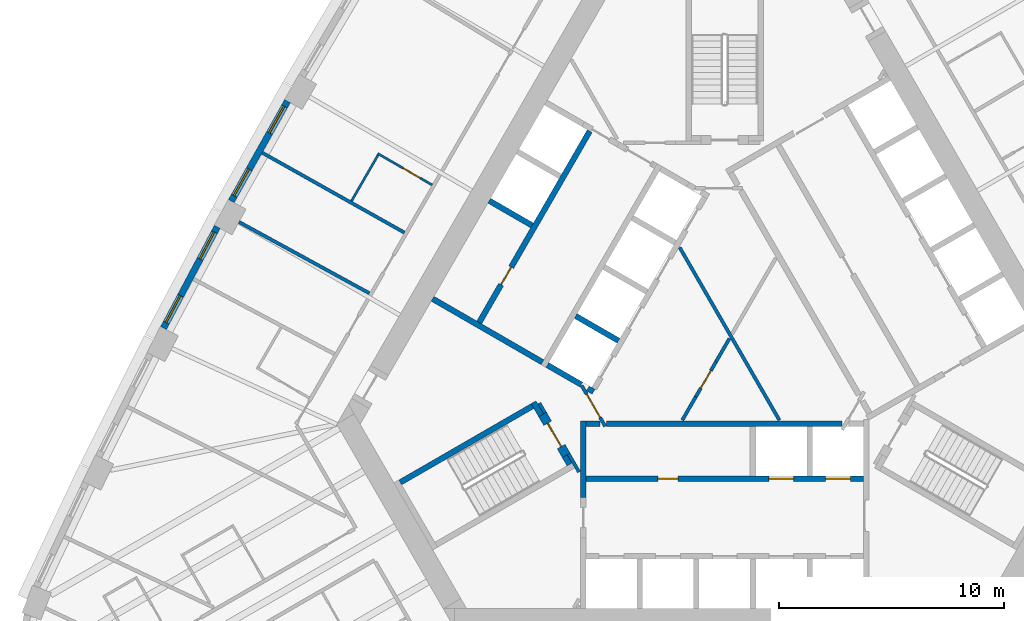
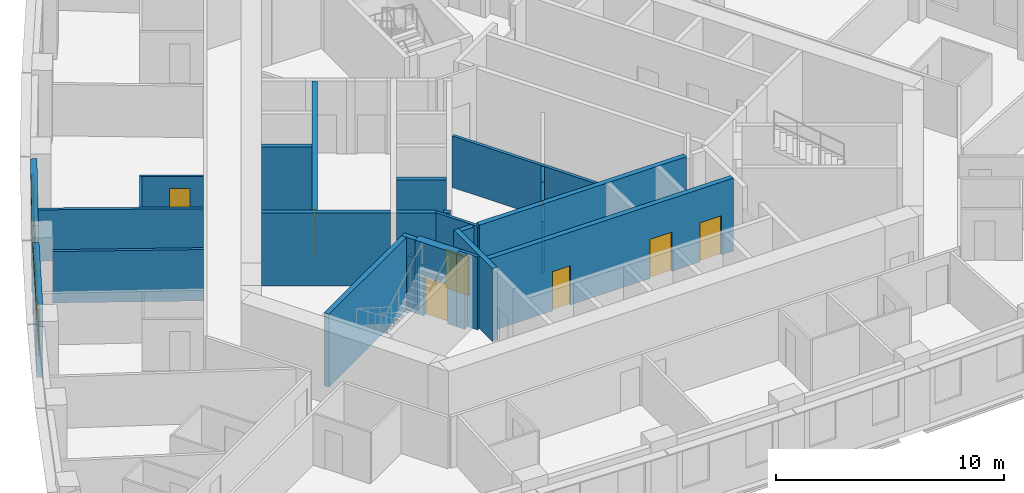
# One storey, part 5 of 12: 27 walls, 8 doors, 4 windows, 12 openings.
"""IFC4 building model written with IfcOpenShell, lengths in metres."""

import ifcopenshell
import ifcopenshell.guid

model = None  # the IFC model being written
_history = None  # IfcOwnerHistory: only IFC2X3 demands one
_inside = {}  # id of a spatial element -> (the spatial element, [elements in it])
_under = {}  # id of a project, library or spatial element -> (it, [spatial elements below it])
_declared = {}  # id of a project -> (the project, [libraries it declares])
_typed = {}  # id of a type object -> (the type object, [elements of that type])
_made_of = {}  # id of a material, layer set ... -> (it, [elements and type objects made of it])


def new_model(schema):
    """Start an empty IFC model of exactly this schema.

    Asked for "IFC4X3", IfcOpenShell would pick the latest addendum, in which some entities
    have other attributes; the version numbers below select the first issue.
    IFC2X3 requires an IfcOwnerHistory on every rooted entity: one is made here for all.
    """
    global model, _history
    if schema == "IFC4X3":
        model = ifcopenshell.file(schema_version=(4, 3, 0, 0))
    else:
        model = ifcopenshell.file(schema=schema)
    _inside.clear()
    _under.clear()
    _declared.clear()
    _typed.clear()
    _made_of.clear()
    _history = None
    if model.schema == "IFC2X3":
        org = make("IfcOrganization", Name="unknown")
        user = make(
            "IfcPersonAndOrganization",
            ThePerson=make("IfcPerson", FamilyName="unknown"),
            TheOrganization=org,
        )
        app = make(
            "IfcApplication",
            ApplicationDeveloper=org,
            Version="unknown",
            ApplicationFullName="unknown",
            ApplicationIdentifier="unknown",
        )
        _history = make(
            "IfcOwnerHistory",
            OwningUser=user,
            OwningApplication=app,
            ChangeAction="ADDED",
            CreationDate=0,
        )
    return model


def make(cls, **values):
    """One entity of the class cls with the attributes given. An attribute that is None is left unset."""
    return model.create_entity(
        cls, **{name: value for name, value in values.items() if value is not None}
    )


def rooted(cls, **values):
    """An entity with a GlobalId (a new one), such as an element, a storey or a relation."""
    return make(cls, GlobalId=ifcopenshell.guid.new(), OwnerHistory=_history, **values)


def si_unit(unit_type, name, prefix=None):
    """IfcSIUnit, for example si_unit("LENGTHUNIT", "METRE", prefix="MILLI")."""
    return make("IfcSIUnit", UnitType=unit_type, Prefix=prefix, Name=name)


def assignment(units):
    """IfcUnitAssignment: the units of a project."""
    return None if units is None else make("IfcUnitAssignment", Units=units)


def point(xyz):
    """IfcCartesianPoint."""
    return None if xyz is None else make("IfcCartesianPoint", Coordinates=xyz)


def direction(xyz):
    """IfcDirection."""
    return None if xyz is None else make("IfcDirection", DirectionRatios=xyz)


def frame(location, z_axis=None, x_axis=None):
    """IfcAxis2Placement3D, a coordinate frame: its origin and axes. An axis left out is left unset."""
    return make(
        "IfcAxis2Placement3D",
        Location=point(location),
        Axis=direction(z_axis),
        RefDirection=direction(x_axis),
    )


def frame_2d(location, x_axis=None):
    """IfcAxis2Placement2D, a coordinate frame in the plane: its origin and x axis."""
    return make(
        "IfcAxis2Placement2D", Location=point(location), RefDirection=direction(x_axis)
    )


def origin():
    """The frame at (0, 0, 0) with its axes left unset."""
    return frame((0.0, 0.0, 0.0))


def place(relative_to, where):
    """IfcLocalPlacement: puts the frame where relative to a parent placement (None: the world)."""
    return make(
        "IfcLocalPlacement", PlacementRelTo=relative_to, RelativePlacement=where
    )


def context(
    kind, dimensions, precision=None, world=None, true_north=None, identifier=None
):
    """IfcGeometricRepresentationContext, for example the 3D "Model" context."""
    return make(
        "IfcGeometricRepresentationContext",
        ContextIdentifier=identifier,
        ContextType=kind,
        CoordinateSpaceDimension=dimensions,
        Precision=precision,
        WorldCoordinateSystem=world,
        TrueNorth=true_north,
    )


def subcontext(parent, identifier, kind, view, scale=None):
    """IfcGeometricRepresentationSubContext, for example "Body" below "Model"."""
    return make(
        "IfcGeometricRepresentationSubContext",
        ContextIdentifier=identifier,
        ContextType=kind,
        ParentContext=parent,
        TargetScale=scale,
        TargetView=view,
    )


def project(units=None, contexts=None):
    """IfcProject with its units and contexts."""
    return rooted(
        "IfcProject",
        Name="project",
        RepresentationContexts=contexts,
        UnitsInContext=assignment(units),
    )


def spatial(cls, under=None, at=None, **own):
    """A site, building, storey or space (cls), placed at a placement, below another one or the project."""
    s = rooted(cls, ObjectPlacement=at, **own)
    if under is not None:
        _under.setdefault(under.id(), (under, []))[1].append(s)
    return s


def profile(cls, at=None, kind="AREA", **sizes):
    """A parametric profile (cls). Its sizes go by their IFC names, for example OverallWidth=200.0."""
    return make(cls, ProfileType=kind, Position=at, **sizes)


def rectangle(**sizes):
    """IfcRectangleProfileDef."""
    return profile("IfcRectangleProfileDef", **sizes)


def extrude(swept, where, along, depth):
    """IfcExtrudedAreaSolid: the profile swept, set in the frame where, extruded along a direction by depth."""
    return make(
        "IfcExtrudedAreaSolid",
        SweptArea=swept,
        Position=where,
        ExtrudedDirection=direction(along),
        Depth=depth,
    )


def shape(context_of_items, identifier, shape_type, items):
    """IfcShapeRepresentation: the items that make up one representation, for example the "Body"."""
    return make(
        "IfcShapeRepresentation",
        ContextOfItems=context_of_items,
        RepresentationIdentifier=identifier,
        RepresentationType=shape_type,
        Items=items,
    )


def material(Name=None, Category=None):
    """IfcMaterial."""
    return make("IfcMaterial", Name=Name, Category=Category)


def layer(
    of_material, thickness, ventilated=None, Name=None, Category=None, Priority=None
):
    """IfcMaterialLayer: one layer of a wall or slab, of a material (None: an air gap)."""
    return make(
        "IfcMaterialLayer",
        Material=of_material,
        LayerThickness=thickness,
        IsVentilated=ventilated,
        Name=Name,
        Category=Category,
        Priority=Priority,
    )


def layer_set(layers, Name=None):
    """IfcMaterialLayerSet."""
    return make("IfcMaterialLayerSet", MaterialLayers=layers, LayerSetName=Name)


def made_of(thing, what):
    """Note that an element or type object is made of a material, layer set ...; save() writes the relation."""
    if what is not None:
        _made_of.setdefault(what.id(), (what, []))[1].append(thing)
    return thing


def type_object(cls, material=None, **own):
    """A type object (cls), such as IfcWallType, which elements share."""
    return made_of(rooted(cls, **own), material)


def element(
    cls,
    number,
    at=None,
    inside=None,
    cuts=None,
    type_object=None,
    material=None,
    context=None,
    identifier="Body",
    shape_type=None,
    held_by="IfcProductDefinitionShape",
    body=None,
    shapes=None,
    **own,
):
    """One element of the class cls, such as IfcWall. Its Tag is "e" and its number.

    at: its placement. inside: the storey or other place that contains it. cuts: it is an
    opening in that element (IfcRelVoidsElement). A single representation is given by context,
    identifier, shape_type and body (its items); several are given by shapes. held_by: the class
    of the entity that holds the representations. save() writes the other relations.
    """
    e = rooted(cls, Tag="e%d" % number, ObjectPlacement=at, **own)
    if body is not None:
        shapes = [shape(context, identifier, shape_type, body)]
    if shapes is not None:
        e.Representation = make(held_by, Representations=shapes)
    if inside is not None:
        _inside.setdefault(inside.id(), (inside, []))[1].append(e)
    if cuts is not None:
        rooted(
            "IfcRelVoidsElement", RelatingBuildingElement=cuts, RelatedOpeningElement=e
        )
    if type_object is not None:
        _typed.setdefault(type_object.id(), (type_object, []))[1].append(e)
    return made_of(e, material)


def fill(opening, filler):
    """IfcRelFillsElement: the door or window that sits in an opening."""
    return rooted(
        "IfcRelFillsElement",
        RelatingOpeningElement=opening,
        RelatedBuildingElement=filler,
    )


def aggregate(whole, parts):
    """IfcRelAggregates: a whole, such as a stair, and the parts it consists of."""
    return rooted("IfcRelAggregates", RelatingObject=whole, RelatedObjects=parts)


def save(model, path):
    """Write the relations noted so far, then the file.

    IfcRelAggregates (storeys below a building ...), IfcRelContainedInSpatialStructure (elements
    in a storey), IfcRelDefinesByType, IfcRelAssociatesMaterial and IfcRelDeclares: one each for
    every whole, place, type object, material and project.
    """
    for whole, parts in _under.values():
        aggregate(whole, parts)
    for where, things in _inside.values():
        rooted(
            "IfcRelContainedInSpatialStructure",
            RelatedElements=things,
            RelatingStructure=where,
        )
    for kind, things in _typed.values():
        rooted("IfcRelDefinesByType", RelatedObjects=things, RelatingType=kind)
    for what, things in _made_of.values():
        rooted("IfcRelAssociatesMaterial", RelatedObjects=things, RelatingMaterial=what)
    for by, libraries in _declared.values():
        rooted("IfcRelDeclares", RelatingContext=by, RelatedDefinitions=libraries)
    model.write(path)


model = new_model("IFC4")

# Units and contexts
model_context = context("Model", 3, precision=1e-05, world=origin(), true_north=direction((0.0, 1.0)))
body_context = subcontext(model_context, "Body", "Model", "MODEL_VIEW")
ifc_project = project(units=[si_unit("LENGTHUNIT", "METRE"), si_unit("AREAUNIT", "SQUARE_METRE"), si_unit("VOLUMEUNIT", "CUBIC_METRE"), si_unit("PLANEANGLEUNIT", "RADIAN"), si_unit("MASSUNIT", "GRAM", prefix="KILO")], contexts=[model_context])

# Site, building, storey
site_placement = place(None, origin())
site = spatial("IfcSite", under=ifc_project, at=site_placement, CompositionType="ELEMENT")
building_placement = place(site_placement, origin())
building = spatial("IfcBuilding", under=site, at=building_placement, Name="Mestral Congress Tower", CompositionType="ELEMENT")
storey_placement = place(building_placement, frame((0.0, 0.0, 118.800048828125)))
storey = spatial("IfcBuildingStorey", under=building, at=storey_placement, Name="L28", CompositionType="ELEMENT", Elevation=118.800048828125)

# Walls
ifc_material_1 = material(Name="Fire-rated board partition")
ifc_layer_1 = layer(ifc_material_1, 0.14990234375)
ifc_layer_set_1 = layer_set([ifc_layer_1], Name="Fire-rated board partition")
wall_type_1 = type_object("IfcWallType", Name="Core partition 150", PredefinedType="PARTITIONING", material=ifc_layer_set_1)
wall_1_placement = place(storey_placement, frame((-1.886962890625, -3.71826171875, 0.0), z_axis=(0.0, 0.0, 1.0), x_axis=(0.500057179532, 0.865992388649, 0.0)))
element("IfcWall", 1, at=wall_1_placement, inside=storey, type_object=wall_type_1, Name="L28 core wall", PredefinedType="PARTITIONING", context=body_context, shape_type="SweptSolid", body=[
    extrude(rectangle(XDim=1.199462890625, YDim=0.14990234375, at=frame_2d((0.599609375, 0.0))), origin(), (0.0, 0.0, 1.0), 2.75),
])
wall_2_placement = place(storey_placement, frame((-8.251953125, -2.958251953125, 0.0), z_axis=(0.0, 0.0, 1.0), x_axis=(0.500174715838, -0.865924508047, 0.0)))
element("IfcWall", 2, at=wall_2_placement, inside=storey, type_object=wall_type_1, Name="L28 core wall", PredefinedType="PARTITIONING", context=body_context, shape_type="SweptSolid", body=[
    extrude(rectangle(XDim=0.513916015625, YDim=0.14990234375, at=frame_2d((0.2568359375, 0.0))), origin(), (0.0, 0.0, 1.0), 2.75),
])
wall_3_placement = place(storey_placement, frame((2.435302734375, -3.71826171875, 0.0), z_axis=(0.0, 0.0, 1.0), x_axis=(-0.499985176046, 0.866033962229, 0.0)))
element("IfcWall", 3, at=wall_3_placement, inside=storey, type_object=wall_type_1, Name="L28 core wall", PredefinedType="PARTITIONING", context=body_context, shape_type="SweptSolid", body=[
    extrude(rectangle(XDim=8.875244140625, YDim=0.14990234375, at=frame_2d((4.4375, 0.0))), origin(), (0.0, 0.0, 1.0), 2.75),
])
wall_4_placement = place(storey_placement, frame((-0.38720703125, -1.12060546875, 0.0), z_axis=(0.0, 0.0, 1.0), x_axis=(0.500057179532, 0.865992388649, 0.0)))
element("IfcWall", 4, at=wall_4_placement, inside=storey, type_object=wall_type_1, Name="L28 core wall", PredefinedType="PARTITIONING", context=body_context, shape_type="SweptSolid", body=[
    extrude(rectangle(XDim=1.199462890625, YDim=0.14990234375, at=frame_2d((0.599609375, 0.0))), origin(), (0.0, 0.0, 1.0), 2.75),
])

# Wall, opening, door
wall_5_placement = place(storey_placement, frame((-1.287109375, -2.679443359375, 0.0), z_axis=(0.0, 0.0, 1.0), x_axis=(0.499961193289, 0.866047807691, 0.0)))
wall_5 = element("IfcWall", 5, at=wall_5_placement, inside=storey, type_object=wall_type_1, Name="L28 door wall", PredefinedType="PARTITIONING", context=body_context, shape_type="SweptSolid", body=[
    extrude(rectangle(XDim=1.800048828125, YDim=0.14990234375, at=frame_2d((0.89990234375, 0.0))), origin(), (0.0, 0.0, 1.0), 2.75),
])
opening_1_placement = place(wall_5_placement, frame((0.449951171875, 0.0, 0.0)))
opening_1 = element("IfcOpeningElement", 6, at=opening_1_placement, cuts=wall_5, Name="Opening SD-HUB2", PredefinedType="OPENING", context=body_context, shape_type="SweptSolid", body=[
    extrude(rectangle(XDim=0.89990234375, YDim=2.10009765625, at=frame_2d((0.449951171875, 1.050048828125))), frame((0.0, 0.0849609375, 0.0), z_axis=(0.0, -1.0, 0.0), x_axis=(1.0, 0.0, 0.0)), (0.0, 0.0, 1.0), 0.169921875),
])
ifc_material_2 = material(Name="Fire-rated steel door set", Category="steel")
door_type_1 = type_object("IfcDoorType", Name="Core door SR 900x2100", OperationType="SINGLE_SWING_LEFT", PredefinedType="DOOR", material=ifc_material_2)
door_1_placement = place(opening_1_placement, origin())
door_1 = element("IfcDoor", 7, at=door_1_placement, inside=storey, type_object=door_type_1, Name="Door SD-HUB2", OperationType="SINGLE_SWING_LEFT", OverallHeight=2.10009765625, OverallWidth=0.89990234375, PredefinedType="DOOR", context=body_context, shape_type="SweptSolid", body=[
    extrude(rectangle(XDim=0.89990234375, YDim=2.10009765625, at=frame_2d((0.449951171875, 1.050048828125))), frame((0.0, 0.02490234375, 0.0), z_axis=(0.0, -1.0, 0.0), x_axis=(1.0, 0.0, 0.0)), (0.0, 0.0, 1.0), 0.050048828125),
])
fill(opening_1, door_1)

# Wall, openings, windows
ifc_material_3 = material(Name="Precast concrete C40/50 with limestone facing", Category="masonry")
ifc_layer_2 = layer(ifc_material_3, 0.2900390625)
ifc_layer_set_2 = layer_set([ifc_layer_2], Name="Precast concrete C40/50 with limestone facing")
wall_type_2 = type_object("IfcWallType", Name="Facade stone wall 290", PredefinedType="SOLIDWALL", material=ifc_layer_set_2)
wall_6_placement = place(storey_placement, frame((-19.4580078125, 10.479736328125, 0.0), z_axis=(0.0, 0.0, 1.0), x_axis=(-0.48983164787, -0.87181704316, 0.0)))
wall_6 = element("IfcWall", 8, at=wall_6_placement, inside=storey, type_object=wall_type_2, Name="Facade wall F2-04", PredefinedType="SOLIDWALL", context=body_context, shape_type="SweptSolid", body=[
    extrude(rectangle(XDim=5.100341796875, YDim=0.2900390625, at=frame_2d((2.55029296875, 0.0))), origin(), (0.0, 0.0, 1.0), 3.64990234375),
])
opening_2_placement = place(wall_6_placement, frame((0.2724609375, 0.0, 0.89990234375)))
opening_2 = element("IfcOpeningElement", 9, at=opening_2_placement, cuts=wall_6, Name="Opening W2", PredefinedType="OPENING", context=body_context, shape_type="SweptSolid", body=[
    extrude(rectangle(XDim=1.35009765625, YDim=2.14990234375, at=frame_2d((0.675048828125, 1.074951171875))), frame((0.0, 0.155029296875, 0.0), z_axis=(0.0, -1.0, 0.0), x_axis=(1.0, 0.0, 0.0)), (0.0, 0.0, 1.0), 0.31005859375),
])
opening_3_placement = place(wall_6_placement, frame((3.477783203125, 0.0, 0.89990234375)))
opening_3 = element("IfcOpeningElement", 10, at=opening_3_placement, cuts=wall_6, Name="Opening W2", PredefinedType="OPENING", context=body_context, shape_type="SweptSolid", body=[
    extrude(rectangle(XDim=1.35009765625, YDim=2.14990234375, at=frame_2d((0.675048828125, 1.074951171875))), frame((0.0, 0.155029296875, 0.0), z_axis=(0.0, -1.0, 0.0), x_axis=(1.0, 0.0, 0.0)), (0.0, 0.0, 1.0), 0.31005859375),
])
ifc_material_4 = material(Name="Clear low-emissivity double glazing", Category="glass")
window_type = type_object("IfcWindowType", Name="Facade punched window 1350 x 2150 sill 900", PartitioningType="DOUBLE_PANEL_VERTICAL", PredefinedType="WINDOW", material=ifc_material_4)
window_1_placement = place(opening_2_placement, origin())
window_1 = element("IfcWindow", 11, at=window_1_placement, inside=storey, type_object=window_type, Name="Window F2-04a", OverallHeight=2.14990234375, OverallWidth=1.35009765625, PartitioningType="DOUBLE_PANEL_VERTICAL", PredefinedType="WINDOW", context=body_context, shape_type="SweptSolid", body=[
    extrude(rectangle(XDim=1.35009765625, YDim=2.14990234375, at=frame_2d((0.675048828125, 1.074951171875))), frame((0.0, 0.01513671875, 0.0), z_axis=(0.0, -1.0, 0.0), x_axis=(1.0, 0.0, 0.0)), (0.0, 0.0, 1.0), 0.06005859375),
])
fill(opening_2, window_1)
window_2_placement = place(opening_3_placement, origin())
window_2 = element("IfcWindow", 12, at=window_2_placement, inside=storey, type_object=window_type, Name="Window F2-04b", OverallHeight=2.14990234375, OverallWidth=1.35009765625, PartitioningType="DOUBLE_PANEL_VERTICAL", PredefinedType="WINDOW", context=body_context, shape_type="SweptSolid", body=[
    extrude(rectangle(XDim=1.35009765625, YDim=2.14990234375, at=frame_2d((0.675048828125, 1.074951171875))), frame((0.0, 0.01513671875, 0.0), z_axis=(0.0, -1.0, 0.0), x_axis=(1.0, 0.0, 0.0)), (0.0, 0.0, 1.0), 0.06005859375),
])
fill(opening_3, window_2)

wall_7_placement = place(storey_placement, frame((-22.5830078125, 4.88671875, 0.0), z_axis=(0.0, 0.0, 1.0), x_axis=(-0.469323203119, -0.883026461106, 0.0)))
wall_7 = element("IfcWall", 13, at=wall_7_placement, inside=storey, type_object=wall_type_2, Name="Facade wall F2-05", PredefinedType="SOLIDWALL", context=body_context, shape_type="SweptSolid", body=[
    extrude(rectangle(XDim=5.1005859375, YDim=0.2900390625, at=frame_2d((2.55029296875, 0.0))), origin(), (0.0, 0.0, 1.0), 3.64990234375),
])
opening_4_placement = place(wall_7_placement, frame((0.272705078125, 0.0, 0.89990234375)))
opening_4 = element("IfcOpeningElement", 14, at=opening_4_placement, cuts=wall_7, Name="Opening W2", PredefinedType="OPENING", context=body_context, shape_type="SweptSolid", body=[
    extrude(rectangle(XDim=1.35009765625, YDim=2.14990234375, at=frame_2d((0.675048828125, 1.074951171875))), frame((0.0, 0.155029296875, 0.0), z_axis=(0.0, -1.0, 0.0), x_axis=(1.0, 0.0, 0.0)), (0.0, 0.0, 1.0), 0.31005859375),
])
opening_5_placement = place(wall_7_placement, frame((3.477783203125, 0.0, 0.89990234375)))
opening_5 = element("IfcOpeningElement", 15, at=opening_5_placement, cuts=wall_7, Name="Opening W2", PredefinedType="OPENING", context=body_context, shape_type="SweptSolid", body=[
    extrude(rectangle(XDim=1.35009765625, YDim=2.14990234375, at=frame_2d((0.675048828125, 1.074951171875))), frame((0.0, 0.155029296875, 0.0), z_axis=(0.0, -1.0, 0.0), x_axis=(1.0, 0.0, 0.0)), (0.0, 0.0, 1.0), 0.31005859375),
])
window_3_placement = place(opening_4_placement, origin())
window_3 = element("IfcWindow", 16, at=window_3_placement, inside=storey, type_object=window_type, Name="Window F2-05a", OverallHeight=2.14990234375, OverallWidth=1.35009765625, PartitioningType="DOUBLE_PANEL_VERTICAL", PredefinedType="WINDOW", context=body_context, shape_type="SweptSolid", body=[
    extrude(rectangle(XDim=1.35009765625, YDim=2.14990234375, at=frame_2d((0.675048828125, 1.074951171875))), frame((0.0, 0.01513671875, 0.0), z_axis=(0.0, -1.0, 0.0), x_axis=(1.0, 0.0, 0.0)), (0.0, 0.0, 1.0), 0.06005859375),
])
fill(opening_4, window_3)
window_4_placement = place(opening_5_placement, origin())
window_4 = element("IfcWindow", 17, at=window_4_placement, inside=storey, type_object=window_type, Name="Window F2-05b", OverallHeight=2.14990234375, OverallWidth=1.35009765625, PartitioningType="DOUBLE_PANEL_VERTICAL", PredefinedType="WINDOW", context=body_context, shape_type="SweptSolid", body=[
    extrude(rectangle(XDim=1.35009765625, YDim=2.14990234375, at=frame_2d((0.675048828125, 1.074951171875))), frame((0.0, 0.01513671875, 0.0), z_axis=(0.0, -1.0, 0.0), x_axis=(1.0, 0.0, 0.0)), (0.0, 0.0, 1.0), 0.06005859375),
])
fill(opening_5, window_4)

# Wall, opening, door
ifc_material_5 = material(Name="Gypsum board partition on metal studs with mineral wool", Category="composite")
ifc_layer_3 = layer(ifc_material_5, 0.10009765625)
ifc_layer_set_3 = layer_set([ifc_layer_3], Name="Gypsum board partition on metal studs with mineral wool")
wall_type_3 = type_object("IfcWallType", Name="Hotel partition wall 100", PredefinedType="PARTITIONING", material=ifc_layer_set_3)
wall_8_placement = place(storey_placement, frame((-13.018798828125, 6.750732421875, 0.0), z_axis=(0.0, 0.0, 1.0), x_axis=(-0.866034573852, 0.49998411664, 0.0)))
wall_8 = element("IfcWall", 18, at=wall_8_placement, inside=storey, type_object=wall_type_3, Name="L28-h-pod15a", PredefinedType="PARTITIONING", context=body_context, shape_type="SweptSolid", body=[
    extrude(rectangle(XDim=2.7998046875, YDim=0.10009765625, at=frame_2d((1.39990234375, 0.0))), origin(), (0.0, 0.0, 1.0), 2.75),
])
opening_6_placement = place(wall_8_placement, frame((0.60009765625, 0.0, 0.0)))
opening_6 = element("IfcOpeningElement", 19, at=opening_6_placement, cuts=wall_8, Name="Opening H09-030", PredefinedType="OPENING", context=body_context, shape_type="SweptSolid", body=[
    extrude(rectangle(XDim=0.89990234375, YDim=2.10009765625, at=frame_2d((0.449951171875, 1.050048828125))), frame((0.0, 0.06005859375, 0.0), z_axis=(0.0, -1.0, 0.0), x_axis=(1.0, 0.0, 0.0)), (0.0, 0.0, 1.0), 0.1201171875),
])
ifc_material_6 = material(Name="Timber veneer door leaf in timber frame", Category="wood")
door_type_2 = type_object("IfcDoorType", Name="Bathroom door 900", OperationType="SINGLE_SWING_LEFT", PredefinedType="DOOR", material=ifc_material_6)
door_2_placement = place(opening_6_placement, origin())
door_2 = element("IfcDoor", 20, at=door_2_placement, inside=storey, type_object=door_type_2, Name="L28-h-d030", OperationType="SINGLE_SWING_RIGHT", OverallHeight=2.10009765625, OverallWidth=0.89990234375, PredefinedType="DOOR", context=body_context, shape_type="SweptSolid", body=[
    extrude(rectangle(XDim=0.89990234375, YDim=2.10009765625, at=frame_2d((0.449951171875, 1.050048828125))), frame((0.0, 0.02490234375, 0.0), z_axis=(0.0, -1.0, 0.0), x_axis=(1.0, 0.0, 0.0)), (0.0, 0.0, 1.0), 0.050048828125),
])
fill(opening_6, door_2)

# Walls
wall_9_placement = place(storey_placement, frame((-15.42529296875, 8.08251953125, 0.0), z_axis=(0.0, 0.0, 1.0), x_axis=(-0.500032858622, -0.866006432019, 0.0)))
element("IfcWall", 21, at=wall_9_placement, inside=storey, type_object=wall_type_3, Name="L28-h-pod15b", PredefinedType="PARTITIONING", context=body_context, shape_type="SweptSolid", body=[
    extrude(rectangle(XDim=2.360107421875, YDim=0.10009765625, at=frame_2d((1.18017578125, 0.0))), origin(), (0.0, 0.0, 1.0), 2.75),
])
ifc_layer_4 = layer(ifc_material_5, 0.14990234375)
ifc_layer_set_4 = layer_set([ifc_layer_4], Name="Gypsum board partition on metal studs with mineral wool")
wall_type_4 = type_object("IfcWallType", Name="Hotel partition wall 150", PredefinedType="PARTITIONING", material=ifc_layer_set_4)
wall_10_placement = place(storey_placement, frame((-21.614013671875, 5.1015625, 0.0), z_axis=(0.0, 0.0, 1.0), x_axis=(0.877484555087, -0.479604895287, 0.0)))
element("IfcWall", 22, at=wall_10_placement, inside=storey, type_object=wall_type_4, Name="L28-h-pw05", PredefinedType="PARTITIONING", context=body_context, shape_type="SweptSolid", body=[
    extrude(rectangle(XDim=6.611083984375, YDim=0.14990234375, at=frame_2d((3.3056640625, 0.0))), origin(), (0.0, 0.0, 1.0), 2.75),
])
wall_11_placement = place(storey_placement, frame((-20.580810546875, 8.185302734375, 0.0), z_axis=(0.0, 0.0, 1.0), x_axis=(0.871820720803, -0.489825102233, 0.0)))
element("IfcWall", 23, at=wall_11_placement, inside=storey, type_object=wall_type_4, Name="L28-h-pw06", PredefinedType="PARTITIONING", context=body_context, shape_type="SweptSolid", body=[
    extrude(rectangle(XDim=7.256591796875, YDim=0.14990234375, at=frame_2d((3.62841796875, 0.0))), origin(), (0.0, 0.0, 1.0), 2.75),
])
ifc_material_7 = material(Name="Concrete C60/75", Category="concrete")
ifc_layer_5 = layer(ifc_material_7, 0.25)
ifc_layer_set_5 = layer_set([ifc_layer_5], Name="Concrete C60/75")
wall_type_5 = type_object("IfcWallType", Name="Shaft wall RC 250", PredefinedType="SOLIDWALL", material=ifc_layer_set_5)
wall_12_placement = place(storey_placement, frame((-5.25927734375, -3.875, 0.0), z_axis=(0.0, 0.0, 1.0), x_axis=(1.0, 0.0, 0.0)))
element("IfcWall", 24, at=wall_12_placement, inside=storey, type_object=wall_type_5, Name="L28 core wall", PredefinedType="SOLIDWALL", context=body_context, shape_type="SweptSolid", body=[
    extrude(rectangle(XDim=10.488525390625, YDim=0.25, at=frame_2d((5.244140625, 0.0))), origin(), (0.0, 0.0, 1.0), 3.89990234375),
])
wall_13_placement = place(storey_placement, frame((-6.300048828125, -3.75, 0.0), z_axis=(0.0, 0.0, 1.0), x_axis=(0.0, -1.0, 0.0)))
element("IfcWall", 25, at=wall_13_placement, inside=storey, type_object=wall_type_5, Name="L28 core wall", PredefinedType="SOLIDWALL", context=body_context, shape_type="SweptSolid", body=[
    extrude(rectangle(XDim=3.404296875, YDim=0.25, at=frame_2d((1.7021484375, 0.0))), origin(), (0.0, 0.0, 1.0), 3.89990234375),
])
wall_14_placement = place(storey_placement, frame((-6.175048828125, -3.875, 0.0), z_axis=(0.0, 0.0, 1.0), x_axis=(1.0, 0.0, 0.0)))
element("IfcWall", 26, at=wall_14_placement, inside=storey, type_object=wall_type_5, Name="L28 core wall", PredefinedType="SOLIDWALL", context=body_context, shape_type="SweptSolid", body=[
    extrude(rectangle(XDim=0.63671875, YDim=0.25, at=frame_2d((0.318359375, 0.0))), origin(), (0.0, 0.0, 1.0), 3.89990234375),
])
wall_15_placement = place(storey_placement, frame((-4.72412109375, -0.182373046875, 0.0), z_axis=(0.0, 0.0, 1.0), x_axis=(-0.866008176907, 0.50002983664, 0.0)))
element("IfcWall", 27, at=wall_15_placement, inside=storey, type_object=wall_type_5, Name="L28 core wall", PredefinedType="SOLIDWALL", context=body_context, shape_type="SweptSolid", body=[
    extrude(rectangle(XDim=2.199951171875, YDim=0.25, at=frame_2d((1.10009765625, 0.0))), origin(), (0.0, 0.0, 1.0), 3.89990234375),
])
wall_16_placement = place(storey_placement, frame((-6.088134765625, -2.3046875, 0.0), z_axis=(0.0, 0.0, 1.0), x_axis=(0.866059450854, -0.499941024108, 0.0)))
element("IfcWall", 28, at=wall_16_placement, inside=storey, type_object=wall_type_5, Name="L28 core wall", PredefinedType="SOLIDWALL", context=body_context, shape_type="SweptSolid", body=[
    extrude(rectangle(XDim=0.2900390625, YDim=0.25, at=frame_2d((0.14501953125, 0.0))), origin(), (0.0, 0.0, 1.0), 3.89990234375),
])
wall_17_placement = place(storey_placement, frame((-7.889404296875, -1.2646484375, 0.0), z_axis=(0.0, 0.0, 1.0), x_axis=(0.865986741702, -0.500066958712, 0.0)))
element("IfcWall", 29, at=wall_17_placement, inside=storey, type_object=wall_type_5, Name="L28 core wall", PredefinedType="SOLIDWALL", context=body_context, shape_type="SweptSolid", body=[
    extrude(rectangle(XDim=1.738037109375, YDim=0.25, at=frame_2d((0.869140625, 0.0))), origin(), (0.0, 0.0, 1.0), 3.89990234375),
])
wall_18_placement = place(storey_placement, frame((-8.10595703125, -1.139892578125, 0.0), z_axis=(0.0, 0.0, 1.0), x_axis=(-0.866000643155, 0.500042884217, 0.0)))
element("IfcWall", 30, at=wall_18_placement, inside=storey, type_object=wall_type_5, Name="L28 core wall", PredefinedType="SOLIDWALL", context=body_context, shape_type="SweptSolid", body=[
    extrude(rectangle(XDim=5.64990234375, YDim=0.25, at=frame_2d((2.824951171875, 0.0))), origin(), (0.0, 0.0, 1.0), 3.89990234375),
])
wall_19_placement = place(storey_placement, frame((-8.57373046875, 4.949951171875, 0.0), z_axis=(0.0, 0.0, 1.0), x_axis=(-0.866008176907, 0.50002983664, 0.0)))
element("IfcWall", 31, at=wall_19_placement, inside=storey, type_object=wall_type_5, Name="L28 core wall", PredefinedType="SOLIDWALL", context=body_context, shape_type="SweptSolid", body=[
    extrude(rectangle(XDim=2.199951171875, YDim=0.25, at=frame_2d((1.10009765625, 0.0))), origin(), (0.0, 0.0, 1.0), 3.89990234375),
])

# Wall, openings, doors
wall_20_placement = place(storey_placement, frame((-6.175048828125, -6.324951171875, 0.0), z_axis=(0.0, 0.0, 1.0), x_axis=(1.0, 0.0, 0.0)))
wall_20 = element("IfcWall", 32, at=wall_20_placement, inside=storey, type_object=wall_type_5, Name="L28 door wall", PredefinedType="SOLIDWALL", context=body_context, shape_type="SweptSolid", body=[
    extrude(rectangle(XDim=12.35009765625, YDim=0.25, at=frame_2d((6.175048828125, 0.0))), origin(), (0.0, 0.0, 1.0), 3.89990234375),
])
opening_7_placement = place(wall_20_placement, frame((3.205078125, 0.0, 0.0)))
opening_7 = element("IfcOpeningElement", 33, at=opening_7_placement, cuts=wall_20, Name="Opening SR-SOB1", PredefinedType="OPENING", context=body_context, shape_type="SweptSolid", body=[
    extrude(rectangle(XDim=0.89990234375, YDim=2.10009765625, at=frame_2d((0.449951171875, 1.050048828125))), frame((0.0, 0.135009765625, 0.0), z_axis=(0.0, -1.0, 0.0), x_axis=(1.0, 0.0, 0.0)), (0.0, 0.0, 1.0), 0.27001953125),
])
opening_8_placement = place(wall_20_placement, frame((8.14501953125, 0.0, 0.0)))
opening_8 = element("IfcOpeningElement", 34, at=opening_8_placement, cuts=wall_20, Name="Opening LD-SOB4", PredefinedType="OPENING", context=body_context, shape_type="SweptSolid", body=[
    extrude(rectangle(XDim=1.10009765625, YDim=2.10009765625, at=frame_2d((0.550048828125, 1.050048828125))), frame((0.0, 0.135009765625, 0.0), z_axis=(0.0, -1.0, 0.0), x_axis=(1.0, 0.0, 0.0)), (0.0, 0.0, 1.0), 0.27001953125),
])
opening_9_placement = place(wall_20_placement, frame((10.6650390625, 0.0, 0.0)))
opening_9 = element("IfcOpeningElement", 35, at=opening_9_placement, cuts=wall_20, Name="Opening LD-SOB5", PredefinedType="OPENING", context=body_context, shape_type="SweptSolid", body=[
    extrude(rectangle(XDim=1.10009765625, YDim=2.10009765625, at=frame_2d((0.550048828125, 1.050048828125))), frame((0.0, 0.135009765625, 0.0), z_axis=(0.0, -1.0, 0.0), x_axis=(1.0, 0.0, 0.0)), (0.0, 0.0, 1.0), 0.27001953125),
])
door_type_3 = type_object("IfcDoorType", Name="Core door LD 1100x2100", OperationType="DOUBLE_DOOR_SLIDING", PredefinedType="DOOR", material=ifc_material_2)
door_3_placement = place(opening_8_placement, origin())
door_3 = element("IfcDoor", 36, at=door_3_placement, inside=storey, type_object=door_type_3, Name="Door LD-SOB4", OperationType="DOUBLE_DOOR_SLIDING", OverallHeight=2.10009765625, OverallWidth=1.10009765625, PredefinedType="DOOR", context=body_context, shape_type="SweptSolid", body=[
    extrude(rectangle(XDim=1.10009765625, YDim=2.10009765625, at=frame_2d((0.550048828125, 1.050048828125))), frame((0.0, 0.02490234375, 0.0), z_axis=(0.0, -1.0, 0.0), x_axis=(1.0, 0.0, 0.0)), (0.0, 0.0, 1.0), 0.050048828125),
])
fill(opening_8, door_3)
door_4_placement = place(opening_9_placement, origin())
door_4 = element("IfcDoor", 37, at=door_4_placement, inside=storey, type_object=door_type_3, Name="Door LD-SOB5", OperationType="DOUBLE_DOOR_SLIDING", OverallHeight=2.10009765625, OverallWidth=1.10009765625, PredefinedType="DOOR", context=body_context, shape_type="SweptSolid", body=[
    extrude(rectangle(XDim=1.10009765625, YDim=2.10009765625, at=frame_2d((0.550048828125, 1.050048828125))), frame((0.0, 0.02490234375, 0.0), z_axis=(0.0, -1.0, 0.0), x_axis=(1.0, 0.0, 0.0)), (0.0, 0.0, 1.0), 0.050048828125),
])
fill(opening_9, door_4)
door_5_placement = place(opening_7_placement, origin())
door_5 = element("IfcDoor", 38, at=door_5_placement, inside=storey, type_object=door_type_1, Name="Door SR-SOB1", OperationType="SINGLE_SWING_LEFT", OverallHeight=2.10009765625, OverallWidth=0.89990234375, PredefinedType="DOOR", context=body_context, shape_type="SweptSolid", body=[
    extrude(rectangle(XDim=0.89990234375, YDim=2.10009765625, at=frame_2d((0.449951171875, 1.050048828125))), frame((0.0, 0.02490234375, 0.0), z_axis=(0.0, -1.0, 0.0), x_axis=(1.0, 0.0, 0.0)), (0.0, 0.0, 1.0), 0.050048828125),
])
fill(opening_7, door_5)

# Wall, opening, door
wall_21_placement = place(storey_placement, frame((-6.0078125, 9.14404296875, 0.0), z_axis=(0.0, 0.0, 1.0), x_axis=(-0.500006956611, -0.866021387346, 0.0)))
wall_21 = element("IfcWall", 39, at=wall_21_placement, inside=storey, type_object=wall_type_5, Name="L28 door wall", PredefinedType="SOLIDWALL", context=body_context, shape_type="SweptSolid", body=[
    extrude(rectangle(XDim=9.829833984375, YDim=0.25, at=frame_2d((4.9150390625, 0.0))), origin(), (0.0, 0.0, 1.0), 3.89990234375),
])
opening_10_placement = place(wall_21_placement, frame((6.985107421875, 0.0, 0.0)))
opening_10 = element("IfcOpeningElement", 40, at=opening_10_placement, cuts=wall_21, Name="Opening SR-NWA2", PredefinedType="OPENING", context=body_context, shape_type="SweptSolid", body=[
    extrude(rectangle(XDim=0.89990234375, YDim=2.10009765625, at=frame_2d((0.449951171875, 1.050048828125))), frame((0.0, 0.135009765625, 0.0), z_axis=(0.0, -1.0, 0.0), x_axis=(1.0, 0.0, 0.0)), (0.0, 0.0, 1.0), 0.27001953125),
])
door_6_placement = place(opening_10_placement, origin())
door_6 = element("IfcDoor", 41, at=door_6_placement, inside=storey, type_object=door_type_1, Name="Door SR-NWA2", OperationType="SINGLE_SWING_LEFT", OverallHeight=2.10009765625, OverallWidth=0.89990234375, PredefinedType="DOOR", context=body_context, shape_type="SweptSolid", body=[
    extrude(rectangle(XDim=0.89990234375, YDim=2.10009765625, at=frame_2d((0.449951171875, 1.050048828125))), frame((0.0, 0.02490234375, 0.0), z_axis=(0.0, -1.0, 0.0), x_axis=(1.0, 0.0, 0.0)), (0.0, 0.0, 1.0), 0.050048828125),
])
fill(opening_10, door_6)

# Wall
ifc_layer_6 = layer(ifc_material_7, 0.14990234375)
ifc_layer_set_6 = layer_set([ifc_layer_6], Name="Concrete C60/75")
wall_type_6 = type_object("IfcWallType", Name="Shaft wall RC 250 door-wall 150", PredefinedType="SOLIDWALL", material=ifc_layer_set_6)
wall_22_placement = place(storey_placement, frame((-6.48046875, -6.026611328125, 0.0), z_axis=(0.0, 0.0, 1.0), x_axis=(-0.499927229454, 0.866067413802, 0.0)))
element("IfcWall", 42, at=wall_22_placement, inside=storey, type_object=wall_type_6, Name="L28 core wall", PredefinedType="PARTITIONING", context=body_context, shape_type="SweptSolid", body=[
    extrude(rectangle(XDim=0.928955078125, YDim=0.14990234375, at=frame_2d((0.46435546875, 0.0))), origin(), (0.0, 0.0, 1.0), 3.89990234375),
])

# Wall, opening, door
wall_23_placement = place(storey_placement, frame((-5.3173828125, -3.98974609375, 0.0), z_axis=(0.0, 0.0, 1.0), x_axis=(-0.500027713859, 0.866009402589, 0.0)))
wall_23 = element("IfcWall", 43, at=wall_23_placement, inside=storey, type_object=wall_type_6, Name="L28 door wall", PredefinedType="PARTITIONING", context=body_context, shape_type="SweptSolid", body=[
    extrude(rectangle(XDim=2.10009765625, YDim=0.14990234375, at=frame_2d((1.050048828125, 0.0))), origin(), (0.0, 0.0, 1.0), 3.89990234375),
])
opening_11_placement = place(wall_23_placement, frame((0.449951171875, 0.0, 0.0)))
opening_11 = element("IfcOpeningElement", 44, at=opening_11_placement, cuts=wall_23, Name="Opening CD3-FF", PredefinedType="OPENING", context=body_context, shape_type="SweptSolid", body=[
    extrude(rectangle(XDim=1.199951171875, YDim=2.10009765625, at=frame_2d((0.60009765625, 1.050048828125))), frame((0.0, 0.0849609375, 0.0), z_axis=(0.0, -1.0, 0.0), x_axis=(1.0, 0.0, 0.0)), (0.0, 0.0, 1.0), 0.169921875),
])
door_type_4 = type_object("IfcDoorType", Name="Core door CD 1200x2100", OperationType="SINGLE_SWING_LEFT", PredefinedType="DOOR", material=ifc_material_2)
door_7_placement = place(opening_11_placement, origin())
door_7 = element("IfcDoor", 45, at=door_7_placement, inside=storey, type_object=door_type_4, Name="Door CD3-FF", OperationType="SINGLE_SWING_LEFT", OverallHeight=2.10009765625, OverallWidth=1.199951171875, PredefinedType="DOOR", context=body_context, shape_type="SweptSolid", body=[
    extrude(rectangle(XDim=1.199951171875, YDim=2.10009765625, at=frame_2d((0.60009765625, 1.050048828125))), frame((0.0, 0.02490234375, 0.0), z_axis=(0.0, -1.0, 0.0), x_axis=(1.0, 0.0, 0.0)), (0.0, 0.0, 1.0), 0.050048828125),
])
fill(opening_11, door_7)

# Walls
ifc_layer_7 = layer(ifc_material_7, 0.25)
ifc_layer_set_7 = layer_set([ifc_layer_7], Name="Concrete C60/75")
wall_type_7 = type_object("IfcWallType", Name="Stair wall RC 250", PredefinedType="SOLIDWALL", material=ifc_layer_set_7)
wall_24_placement = place(storey_placement, frame((-14.43994140625, -6.489501953125, 0.0), z_axis=(0.0, 0.0, 1.0), x_axis=(0.866022966069, 0.500004222222, 0.0)))
element("IfcWall", 46, at=wall_24_placement, inside=storey, type_object=wall_type_7, Name="L28 core wall", PredefinedType="SOLIDWALL", context=body_context, shape_type="SweptSolid", body=[
    extrude(rectangle(XDim=6.80029296875, YDim=0.25, at=frame_2d((3.400146484375, 0.0))), origin(), (0.0, 0.0, 1.0), 3.89990234375),
])
wall_25_placement = place(storey_placement, frame((-8.167724609375, -3.503173828125, 0.0), z_axis=(0.0, 0.0, 1.0), x_axis=(-0.499952099219, 0.866053057547, 0.0)))
element("IfcWall", 47, at=wall_25_placement, inside=storey, type_object=wall_type_7, Name="L28 core wall", PredefinedType="SOLIDWALL", context=body_context, shape_type="SweptSolid", body=[
    extrude(rectangle(XDim=0.6748046875, YDim=0.25, at=frame_2d((0.33740234375, 0.0))), origin(), (0.0, 0.0, 1.0), 3.89990234375),
])
wall_26_placement = place(storey_placement, frame((-6.905029296875, -5.68994140625, 0.0), z_axis=(0.0, 0.0, 1.0), x_axis=(-0.500402024738, 0.865793170242, 0.0)))
element("IfcWall", 48, at=wall_26_placement, inside=storey, type_object=wall_type_7, Name="L28 core wall", PredefinedType="SOLIDWALL", context=body_context, shape_type="SweptSolid", body=[
    extrude(rectangle(XDim=0.425048828125, YDim=0.25, at=frame_2d((0.21240234375, 0.0))), origin(), (0.0, 0.0, 1.0), 3.89990234375),
])

# Wall, opening, door
ifc_layer_8 = layer(ifc_material_7, 0.39990234375)
ifc_layer_set_8 = layer_set([ifc_layer_8], Name="Concrete C60/75")
wall_type_8 = type_object("IfcWallType", Name="Stair wall RC 250 door-wall 400", PredefinedType="SOLIDWALL", material=ifc_layer_set_8)
wall_27_placement = place(storey_placement, frame((-8.102783203125, -3.4658203125, 0.0), z_axis=(0.0, 0.0, 1.0), x_axis=(0.500078061341, -0.865980330357, 0.0)))
wall_27 = element("IfcWall", 49, at=wall_27_placement, inside=storey, type_object=wall_type_8, Name="L28 door wall", PredefinedType="SOLIDWALL", context=body_context, shape_type="SweptSolid", body=[
    extrude(rectangle(XDim=2.099853515625, YDim=0.39990234375, at=frame_2d((1.0498046875, 0.0))), origin(), (0.0, 0.0, 1.0), 3.89990234375),
])
opening_12_placement = place(wall_27_placement, frame((0.449951171875, 0.0, 0.0)))
opening_12 = element("IfcOpeningElement", 50, at=opening_12_placement, cuts=wall_27, Name="Opening ST-D3", PredefinedType="OPENING", context=body_context, shape_type="SweptSolid", body=[
    extrude(rectangle(XDim=1.199951171875, YDim=2.10009765625, at=frame_2d((0.60009765625, 1.050048828125))), frame((0.0, 0.2099609375, 0.0), z_axis=(0.0, -1.0, 0.0), x_axis=(1.0, 0.0, 0.0)), (0.0, 0.0, 1.0), 0.419921875),
])
door_type_5 = type_object("IfcDoorType", Name="Core door ST 1200x2100", OperationType="SINGLE_SWING_LEFT", PredefinedType="DOOR", material=ifc_material_2)
door_8_placement = place(opening_12_placement, origin())
door_8 = element("IfcDoor", 51, at=door_8_placement, inside=storey, type_object=door_type_5, Name="Door ST-D3", OperationType="SINGLE_SWING_LEFT", OverallHeight=2.10009765625, OverallWidth=1.199951171875, PredefinedType="DOOR", context=body_context, shape_type="SweptSolid", body=[
    extrude(rectangle(XDim=1.199951171875, YDim=2.10009765625, at=frame_2d((0.60009765625, 1.050048828125))), frame((0.0, 0.02490234375, 0.0), z_axis=(0.0, -1.0, 0.0), x_axis=(1.0, 0.0, 0.0)), (0.0, 0.0, 1.0), 0.050048828125),
])
fill(opening_12, door_8)

save(model, "model.ifc")
